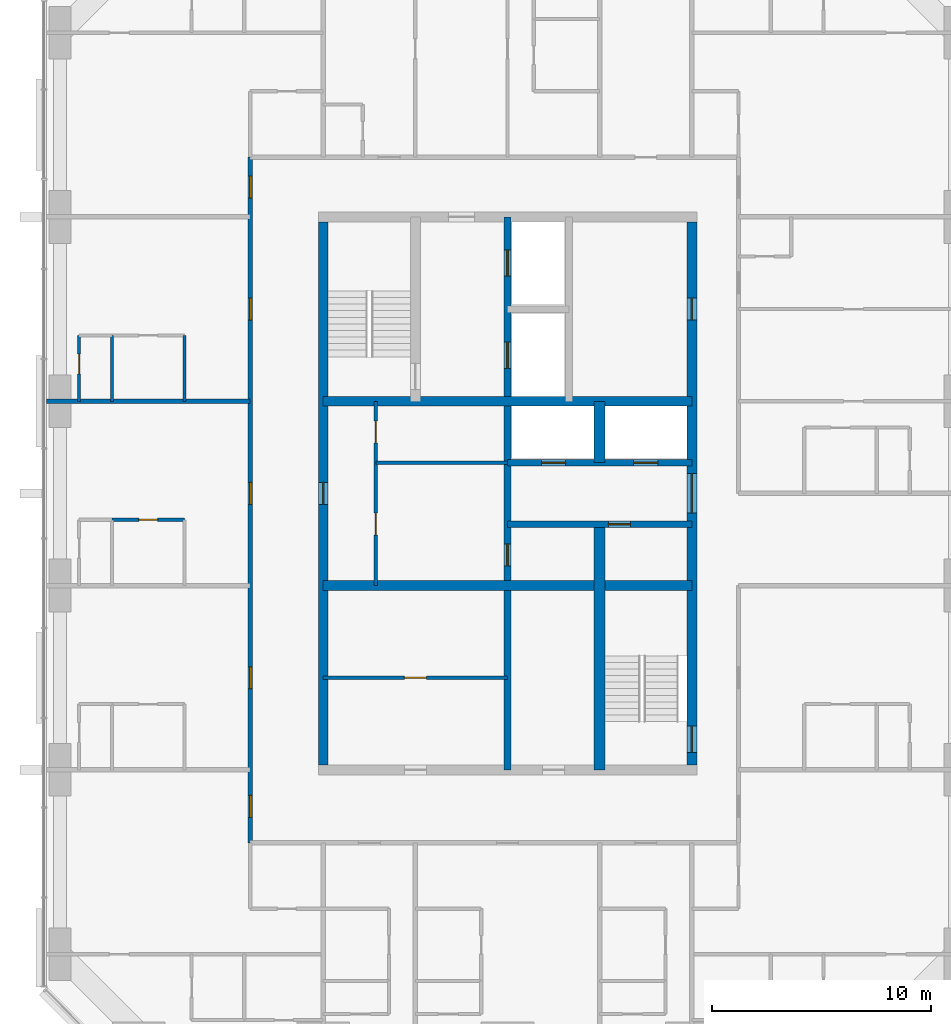
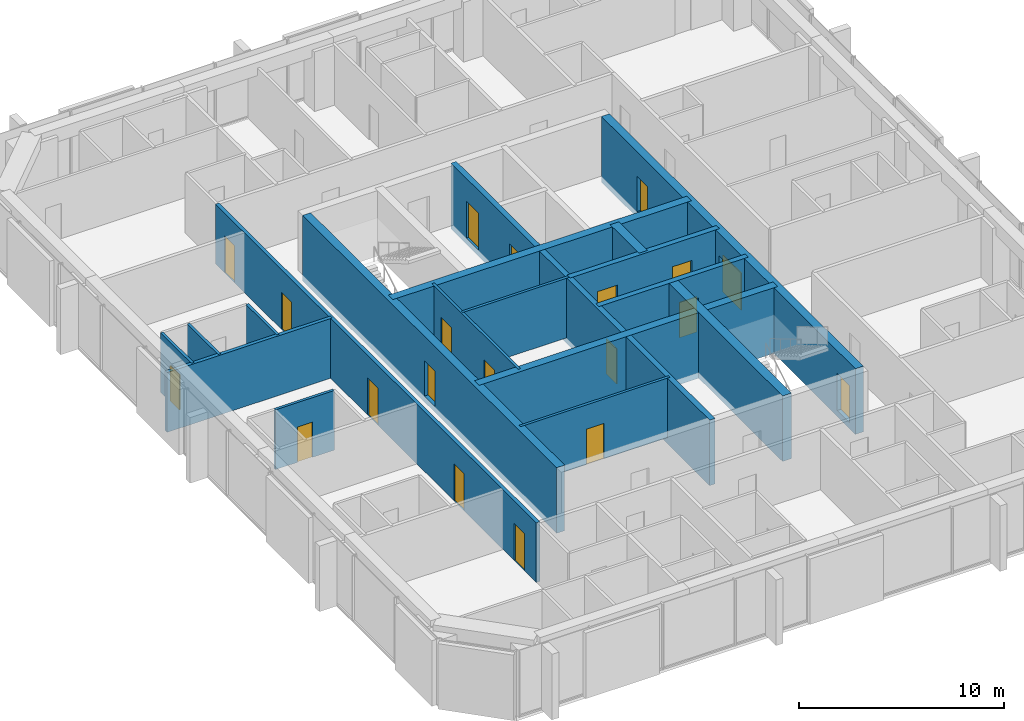
# One storey, part 8 of 12: 20 doors, 18 walls, 20 openings.
"""IFC4 building model written with IfcOpenShell, lengths in metres."""

from ifc_helpers import new_model, si_unit, direction, frame, frame_2d, origin, place, context, subcontext, project, spatial, rectangle, extrude, material, layer, layer_set, type_object, element, fill, save


model = new_model("IFC4")

# Units and contexts
model_context = context("Model", 3, precision=1e-05, world=origin(), true_north=direction((0.0, 1.0)))
body_context = subcontext(model_context, "Body", "Model", "MODEL_VIEW")
ifc_project = project(units=[si_unit("LENGTHUNIT", "METRE"), si_unit("AREAUNIT", "SQUARE_METRE"), si_unit("VOLUMEUNIT", "CUBIC_METRE"), si_unit("PLANEANGLEUNIT", "RADIAN"), si_unit("MASSUNIT", "GRAM", prefix="KILO")], contexts=[model_context])

# Site, building, storey
site_placement = place(None, origin())
site = spatial("IfcSite", under=ifc_project, at=site_placement, CompositionType="ELEMENT")
building_placement = place(site_placement, origin())
building = spatial("IfcBuilding", under=site, at=building_placement, Name="Dunama Terrace Hotel", CompositionType="ELEMENT")
storey_placement = place(building_placement, frame((0.0, 0.0, 245.10009765625)))
storey = spatial("IfcBuildingStorey", under=building, at=storey_placement, Name="L63", CompositionType="ELEMENT", Elevation=245.10009765625)

# Wall
ifc_material_1 = material(Name="Gypsum board partition", Category="masonry")
ifc_layer_1 = layer(ifc_material_1, 0.14990234375)
ifc_layer_set_1 = layer_set([ifc_layer_1], Name="Bathroom partition 150")
wall_type_1 = type_object("IfcWallType", Name="Bathroom partition 150", PredefinedType="PARTITIONING", material=ifc_layer_set_1)
wall_1_placement = place(storey_placement, frame((18.875, 33.60009765625, 0.0), z_axis=(0.0, 0.0, 1.0), x_axis=(0.0, 1.0, 0.0)))
element("IfcWall", 1, at=wall_1_placement, inside=storey, type_object=wall_type_1, Name="Bathroom partition 150 L63", PredefinedType="PARTITIONING", context=body_context, shape_type="SweptSolid", body=[
    extrude(rectangle(XDim=3.0, YDim=0.14990234375, at=frame_2d((1.5, 0.0))), origin(), (0.0, 0.0, 1.0), 3.5498046875),
])

# Wall, opening, door
wall_2_placement = place(storey_placement, frame((15.574951171875, 28.199951171875, 0.0), z_axis=(0.0, 0.0, 1.0), x_axis=(1.0, 0.0, 0.0)))
wall_2 = element("IfcWall", 2, at=wall_2_placement, inside=storey, type_object=wall_type_1, Name="Bathroom partition 150 L63", PredefinedType="PARTITIONING", context=body_context, shape_type="SweptSolid", body=[
    extrude(rectangle(XDim=3.300048828125, YDim=0.14990234375, at=frame_2d((1.64990234375, 0.0))), origin(), (0.0, 0.0, 1.0), 3.5498046875),
])
opening_1_placement = place(wall_2_placement, frame((1.22509765625, 0.0, 0.0)))
opening_1 = element("IfcOpeningElement", 3, at=opening_1_placement, cuts=wall_2, Name="Opening L62-64-036", PredefinedType="OPENING", context=body_context, shape_type="SweptSolid", body=[
    extrude(rectangle(XDim=0.85009765625, YDim=2.10009765625, at=frame_2d((0.425048828125, 1.050048828125))), frame((0.0, 0.0849609375, 0.0), z_axis=(0.0, -1.0, 0.0), x_axis=(1.0, 0.0, 0.0)), (0.0, 0.0, 1.0), 0.169921875),
])
ifc_material_2 = material(Name="Timber door with steel frame", Category="steel")
door_type_1 = type_object("IfcDoorType", Name="Bathroom door 850", OperationType="SINGLE_SWING_LEFT", PredefinedType="DOOR", material=ifc_material_2)
door_1_placement = place(opening_1_placement, frame((0.85009765625, 0.0, 0.0), z_axis=(0.0, 0.0, 1.0), x_axis=(-1.0, 0.0, 0.0)))
door_1 = element("IfcDoor", 4, at=door_1_placement, inside=storey, type_object=door_type_1, Name="Door to en-suite bathroom L62-64-036, type D2", OperationType="SINGLE_SWING_LEFT", OverallHeight=2.10009765625, OverallWidth=0.85009765625, PredefinedType="DOOR", context=body_context, shape_type="SweptSolid", body=[
    extrude(rectangle(XDim=0.85009765625, YDim=2.10009765625, at=frame_2d((0.425048828125, 1.050048828125))), frame((0.0, 0.025146484375, 0.0), z_axis=(0.0, -1.0, 0.0), x_axis=(1.0, 0.0, 0.0)), (0.0, 0.0, 1.0), 0.050048828125),
])
fill(opening_1, door_1)

# Wall, openings, doors
ifc_material_3 = material(Name="Concrete C50/60", Category="concrete")
ifc_layer_2 = layer(ifc_material_3, 0.300048828125)
ifc_layer_set_2 = layer_set([ifc_layer_2], Name="Core inner wall 300")
wall_type_2 = type_object("IfcWallType", Name="Core inner wall 300", PredefinedType="SHEAR", material=ifc_layer_set_2)
wall_3_placement = place(storey_placement, frame((33.60009765625, 16.800048828125, -0.35009765625), z_axis=(0.0, 0.0, 1.0), x_axis=(0.0, 1.0, 0.0)))
wall_3 = element("IfcWall", 5, at=wall_3_placement, inside=storey, type_object=wall_type_2, Name="Core inner wall 300 L63", PredefinedType="SHEAR", context=body_context, shape_type="SweptSolid", body=[
    extrude(rectangle(XDim=25.199951171875, YDim=0.300048828125, at=frame_2d((12.60009765625, 0.0))), origin(), (0.0, 0.0, 1.0), 3.89990234375),
])
opening_2_placement = place(wall_3_placement, frame((22.5, 0.0, 0.35009765625)))
opening_2 = element("IfcOpeningElement", 6, at=opening_2_placement, cuts=wall_3, Name="Opening L62-64-005", PredefinedType="OPENING", context=body_context, shape_type="SweptSolid", body=[
    extrude(rectangle(XDim=1.199951171875, YDim=2.199951171875, at=frame_2d((0.60009765625, 1.10009765625))), frame((0.0, 0.159912109375, 0.0), z_axis=(0.0, -1.0, 0.0), x_axis=(1.0, 0.0, 0.0)), (0.0, 0.0, 1.0), 0.320068359375),
])
opening_3_placement = place(wall_3_placement, frame((18.300048828125, 0.0, 0.35009765625)))
opening_3 = element("IfcOpeningElement", 7, at=opening_3_placement, cuts=wall_3, Name="Opening L62-64-006", PredefinedType="OPENING", context=body_context, shape_type="SweptSolid", body=[
    extrude(rectangle(XDim=1.199951171875, YDim=2.199951171875, at=frame_2d((0.60009765625, 1.10009765625))), frame((0.0, 0.159912109375, 0.0), z_axis=(0.0, -1.0, 0.0), x_axis=(1.0, 0.0, 0.0)), (0.0, 0.0, 1.0), 0.320068359375),
])
opening_4_placement = place(wall_3_placement, frame((9.300048828125, 0.0, 0.35009765625)))
opening_4 = element("IfcOpeningElement", 8, at=opening_4_placement, cuts=wall_3, Name="Opening L62-64-064", PredefinedType="OPENING", context=body_context, shape_type="SweptSolid", body=[
    extrude(rectangle(XDim=1.0, YDim=2.10009765625, at=frame_2d((0.5, 1.050048828125))), frame((0.0, 0.159912109375, 0.0), z_axis=(0.0, -1.0, 0.0), x_axis=(1.0, 0.0, 0.0)), (0.0, 0.0, 1.0), 0.320068359375),
])
ifc_material_4 = material(Name="Stainless steel lift door", Category="steel")
door_type_2 = type_object("IfcDoorType", Name="Firefighting lift landing door 1200", OperationType="DOUBLE_DOOR_SLIDING", PredefinedType="DOOR", material=ifc_material_4)
door_2_placement = place(opening_2_placement, origin())
door_2 = element("IfcDoor", 9, at=door_2_placement, inside=storey, type_object=door_type_2, Name="Landing door FL1 L62-64-005, type LD2", OperationType="DOUBLE_DOOR_SLIDING", OverallHeight=2.199951171875, OverallWidth=1.199951171875, PredefinedType="DOOR", context=body_context, shape_type="SweptSolid", body=[
    extrude(rectangle(XDim=1.199951171875, YDim=2.199951171875, at=frame_2d((0.60009765625, 1.10009765625))), frame((0.0, 0.02490234375, 0.0), z_axis=(0.0, -1.0, 0.0), x_axis=(1.0, 0.0, 0.0)), (0.0, 0.0, 1.0), 0.050048828125),
])
fill(opening_2, door_2)
door_3_placement = place(opening_3_placement, origin())
door_3 = element("IfcDoor", 10, at=door_3_placement, inside=storey, type_object=door_type_2, Name="Landing door FL2 L62-64-006, type LD2", OperationType="DOUBLE_DOOR_SLIDING", OverallHeight=2.199951171875, OverallWidth=1.199951171875, PredefinedType="DOOR", context=body_context, shape_type="SweptSolid", body=[
    extrude(rectangle(XDim=1.199951171875, YDim=2.199951171875, at=frame_2d((0.60009765625, 1.10009765625))), frame((0.0, 0.02490234375, 0.0), z_axis=(0.0, -1.0, 0.0), x_axis=(1.0, 0.0, 0.0)), (0.0, 0.0, 1.0), 0.050048828125),
])
fill(opening_3, door_3)
ifc_material_5 = material(Name="Timber door with steel frame", Category="steel")
door_type_3 = type_object("IfcDoorType", Name="Service door 1000", OperationType="SINGLE_SWING_LEFT", PredefinedType="DOOR", material=ifc_material_5)
door_4_placement = place(opening_4_placement, frame((1.0, 0.0, 0.0), z_axis=(0.0, 0.0, 1.0), x_axis=(-1.0, 0.0, 0.0)))
door_4 = element("IfcDoor", 11, at=door_4_placement, inside=storey, type_object=door_type_3, Name="Door to service riser L62-64-064, type D7", OperationType="SINGLE_SWING_RIGHT", OverallHeight=2.10009765625, OverallWidth=1.0, PredefinedType="DOOR", context=body_context, shape_type="SweptSolid", body=[
    extrude(rectangle(XDim=1.0, YDim=2.10009765625, at=frame_2d((0.5, 1.050048828125))), frame((0.0, 0.025146484375, 0.0), z_axis=(0.0, -1.0, 0.0), x_axis=(1.0, 0.0, 0.0)), (0.0, 0.0, 1.0), 0.050048828125),
])
fill(opening_4, door_4)

# Wall, opening, door
wall_4_placement = place(storey_placement, frame((33.60009765625, 28.0, -0.35009765625), z_axis=(0.0, 0.0, 1.0), x_axis=(1.0, 0.0, 0.0)))
wall_4 = element("IfcWall", 12, at=wall_4_placement, inside=storey, type_object=wall_type_2, Name="Core inner wall 300 L63", PredefinedType="SHEAR", context=body_context, shape_type="SweptSolid", body=[
    extrude(rectangle(XDim=8.39990234375, YDim=0.300048828125, at=frame_2d((4.199951171875, 0.0))), origin(), (0.0, 0.0, 1.0), 3.89990234375),
])
opening_5_placement = place(wall_4_placement, frame((4.60009765625, 0.0, 0.35009765625)))
opening_5 = element("IfcOpeningElement", 13, at=opening_5_placement, cuts=wall_4, Name="Opening L62-64-065", PredefinedType="OPENING", context=body_context, shape_type="SweptSolid", body=[
    extrude(rectangle(XDim=1.0, YDim=2.10009765625, at=frame_2d((0.5, 1.050048828125))), frame((0.0, 0.159912109375, 0.0), z_axis=(0.0, -1.0, 0.0), x_axis=(1.0, 0.0, 0.0)), (0.0, 0.0, 1.0), 0.320068359375),
])
door_5_placement = place(opening_5_placement, frame((1.0, 0.0, 0.0), z_axis=(0.0, 0.0, 1.0), x_axis=(-1.0, 0.0, 0.0)))
door_5 = element("IfcDoor", 14, at=door_5_placement, inside=storey, type_object=door_type_3, Name="Door to guest pantry L62-64-065, type D7", OperationType="SINGLE_SWING_RIGHT", OverallHeight=2.10009765625, OverallWidth=1.0, PredefinedType="DOOR", context=body_context, shape_type="SweptSolid", body=[
    extrude(rectangle(XDim=1.0, YDim=2.10009765625, at=frame_2d((0.5, 1.050048828125))), frame((0.0, 0.025146484375, 0.0), z_axis=(0.0, -1.0, 0.0), x_axis=(1.0, 0.0, 0.0)), (0.0, 0.0, 1.0), 0.050048828125),
])
fill(opening_5, door_5)

# Wall, openings, doors
wall_5_placement = place(storey_placement, frame((33.60009765625, 30.800048828125, -0.35009765625), z_axis=(0.0, 0.0, 1.0), x_axis=(1.0, 0.0, 0.0)))
wall_5 = element("IfcWall", 15, at=wall_5_placement, inside=storey, type_object=wall_type_2, Name="Core inner wall 300 L63", PredefinedType="SHEAR", context=body_context, shape_type="SweptSolid", body=[
    extrude(rectangle(XDim=8.39990234375, YDim=0.300048828125, at=frame_2d((4.199951171875, 0.0))), origin(), (0.0, 0.0, 1.0), 3.89990234375),
])
opening_6_placement = place(wall_5_placement, frame((1.550048828125, 0.0, 0.35009765625)))
opening_6 = element("IfcOpeningElement", 16, at=opening_6_placement, cuts=wall_5, Name="Opening L62-64-003", PredefinedType="OPENING", context=body_context, shape_type="SweptSolid", body=[
    extrude(rectangle(XDim=1.10009765625, YDim=2.199951171875, at=frame_2d((0.550048828125, 1.10009765625))), frame((0.0, 0.159912109375, 0.0), z_axis=(0.0, -1.0, 0.0), x_axis=(1.0, 0.0, 0.0)), (0.0, 0.0, 1.0), 0.320068359375),
])
opening_7_placement = place(wall_5_placement, frame((5.75, 0.0, 0.35009765625)))
opening_7 = element("IfcOpeningElement", 17, at=opening_7_placement, cuts=wall_5, Name="Opening L62-64-004", PredefinedType="OPENING", context=body_context, shape_type="SweptSolid", body=[
    extrude(rectangle(XDim=1.10009765625, YDim=2.199951171875, at=frame_2d((0.550048828125, 1.10009765625))), frame((0.0, 0.159912109375, 0.0), z_axis=(0.0, -1.0, 0.0), x_axis=(1.0, 0.0, 0.0)), (0.0, 0.0, 1.0), 0.320068359375),
])
ifc_material_6 = material(Name="Stainless steel lift door", Category="steel")
door_type_4 = type_object("IfcDoorType", Name="Lift landing door 1100", OperationType="DOUBLE_DOOR_SLIDING", PredefinedType="DOOR", material=ifc_material_6)
door_6_placement = place(opening_6_placement, origin())
door_6 = element("IfcDoor", 18, at=door_6_placement, inside=storey, type_object=door_type_4, Name="Landing door PD1 L62-64-003, type LD1", OperationType="DOUBLE_DOOR_SLIDING", OverallHeight=2.199951171875, OverallWidth=1.10009765625, PredefinedType="DOOR", context=body_context, shape_type="SweptSolid", body=[
    extrude(rectangle(XDim=1.10009765625, YDim=2.199951171875, at=frame_2d((0.550048828125, 1.10009765625))), frame((0.0, 0.02490234375, 0.0), z_axis=(0.0, -1.0, 0.0), x_axis=(1.0, 0.0, 0.0)), (0.0, 0.0, 1.0), 0.050048828125),
])
fill(opening_6, door_6)
door_7_placement = place(opening_7_placement, origin())
door_7 = element("IfcDoor", 19, at=door_7_placement, inside=storey, type_object=door_type_4, Name="Landing door PD2 L62-64-004, type LD1", OperationType="DOUBLE_DOOR_SLIDING", OverallHeight=2.199951171875, OverallWidth=1.10009765625, PredefinedType="DOOR", context=body_context, shape_type="SweptSolid", body=[
    extrude(rectangle(XDim=1.10009765625, YDim=2.199951171875, at=frame_2d((0.550048828125, 1.10009765625))), frame((0.0, 0.02490234375, 0.0), z_axis=(0.0, -1.0, 0.0), x_axis=(1.0, 0.0, 0.0)), (0.0, 0.0, 1.0), 0.050048828125),
])
fill(opening_7, door_7)

# Walls
ifc_material_7 = material(Name="Concrete C50/60", Category="concrete")
ifc_layer_3 = layer(ifc_material_7, 0.449951171875)
ifc_layer_set_3 = layer_set([ifc_layer_3], Name="Core inner wall 450")
wall_type_3 = type_object("IfcWallType", Name="Core inner wall 450", PredefinedType="SHEAR", material=ifc_layer_set_3)
for number, where, z_axis, x_axis, name in (
    (20, (25.199951171875, 25.199951171875, -0.35009765625), (0.0, 0.0, 1.0), (1.0, 0.0, 0.0), "Core inner wall 450 L63"),
    (21, (25.199951171875, 33.60009765625, -0.35009765625), (0.0, 0.0, 1.0), (1.0, 0.0, 0.0), "Core inner wall 450 L63"),
):
    element("IfcWall", number, at=place(storey_placement, frame(where, z_axis=z_axis, x_axis=x_axis)), inside=storey, type_object=wall_type_3, Name=name, PredefinedType="SHEAR", context=body_context, shape_type="SweptSolid", body=[
        extrude(rectangle(XDim=16.800048828125, YDim=0.449951171875, at=frame_2d((8.39990234375, 0.0))), origin(), (0.0, 0.0, 1.0), 3.89990234375),
    ])
ifc_material_8 = material(Name="Concrete C50/60", Category="concrete")
ifc_layer_4 = layer(ifc_material_8, 0.5)
ifc_layer_set_4 = layer_set([ifc_layer_4], Name="Core inner wall 500")
wall_type_4 = type_object("IfcWallType", Name="Core inner wall 500", PredefinedType="SHEAR", material=ifc_layer_set_4)
wall_6_placement = place(storey_placement, frame((37.800048828125, 16.800048828125, -0.35009765625), z_axis=(0.0, 0.0, 1.0), x_axis=(0.0, 1.0, 0.0)))
element("IfcWall", 22, at=wall_6_placement, inside=storey, type_object=wall_type_4, Name="Core inner wall 500 L63", PredefinedType="SHEAR", context=body_context, shape_type="SweptSolid", body=[
    extrude(rectangle(XDim=11.199951171875, YDim=0.5, at=frame_2d((5.60009765625, 0.0))), origin(), (0.0, 0.0, 1.0), 3.89990234375),
])
wall_7_placement = place(storey_placement, frame((37.800048828125, 30.800048828125, -0.35009765625), z_axis=(0.0, 0.0, 1.0), x_axis=(0.0, 1.0, 0.0)))
element("IfcWall", 23, at=wall_7_placement, inside=storey, type_object=wall_type_4, Name="Core inner wall 500 L63", PredefinedType="SHEAR", context=body_context, shape_type="SweptSolid", body=[
    extrude(rectangle(XDim=2.800048828125, YDim=0.5, at=frame_2d((1.39990234375, 0.0))), origin(), (0.0, 0.0, 1.0), 3.89990234375),
])

# Wall, openings, doors
ifc_material_9 = material(Name="Concrete C50/60", Category="concrete")
ifc_layer_5 = layer(ifc_material_9, 0.449951171875)
ifc_layer_set_5 = layer_set([ifc_layer_5], Name="Core wall 450")
wall_type_5 = type_object("IfcWallType", Name="Core wall 450", PredefinedType="SHEAR", material=ifc_layer_set_5)
wall_8_placement = place(storey_placement, frame((42.0, 17.02490234375, -0.35009765625), z_axis=(0.0, 0.0, 1.0), x_axis=(0.0, 1.0, 0.0)))
wall_8 = element("IfcWall", 24, at=wall_8_placement, inside=storey, type_object=wall_type_5, Name="Core wall east L63", PredefinedType="SHEAR", context=body_context, shape_type="SweptSolid", body=[
    extrude(rectangle(XDim=24.75, YDim=0.449951171875, at=frame_2d((12.375, 0.0))), origin(), (0.0, 0.0, 1.0), 3.89990234375),
])
opening_8_placement = place(wall_8_placement, frame((0.574951171875, 0.0, 0.35009765625)))
opening_8 = element("IfcOpeningElement", 25, at=opening_8_placement, cuts=wall_8, Name="Opening L62-64-002", PredefinedType="OPENING", context=body_context, shape_type="SweptSolid", body=[
    extrude(rectangle(XDim=1.199951171875, YDim=2.199951171875, at=frame_2d((0.60009765625, 1.10009765625))), frame((0.0, 0.23486328125, 0.0), z_axis=(0.0, -1.0, 0.0), x_axis=(1.0, 0.0, 0.0)), (0.0, 0.0, 1.0), 0.469970703125),
])
opening_9_placement = place(wall_8_placement, frame((11.47509765625, 0.0, 0.35009765625)))
opening_9 = element("IfcOpeningElement", 26, at=opening_9_placement, cuts=wall_8, Name="Opening L62-64-066", PredefinedType="OPENING", context=body_context, shape_type="SweptSolid", body=[
    extrude(rectangle(XDim=1.800048828125, YDim=2.199951171875, at=frame_2d((0.89990234375, 1.10009765625))), frame((0.0, 0.23486328125, 0.0), z_axis=(0.0, -1.0, 0.0), x_axis=(1.0, 0.0, 0.0)), (0.0, 0.0, 1.0), 0.469970703125),
])
opening_10_placement = place(wall_8_placement, frame((20.27490234375, 0.0, 0.35009765625)))
opening_10 = element("IfcOpeningElement", 27, at=opening_10_placement, cuts=wall_8, Name="Opening L62-64-068", PredefinedType="OPENING", context=body_context, shape_type="SweptSolid", body=[
    extrude(rectangle(XDim=1.0, YDim=2.10009765625, at=frame_2d((0.5, 1.050048828125))), frame((0.0, 0.23486328125, 0.0), z_axis=(0.0, -1.0, 0.0), x_axis=(1.0, 0.0, 0.0)), (0.0, 0.0, 1.0), 0.469970703125),
])
ifc_material_10 = material(Name="Timber door with steel frame", Category="steel")
door_type_5 = type_object("IfcDoorType", Name="Lift lobby double door 1800", OperationType="DOUBLE_DOOR_DOUBLE_SWING", PredefinedType="DOOR", material=ifc_material_10)
door_8_placement = place(opening_9_placement, origin())
door_8 = element("IfcDoor", 28, at=door_8_placement, inside=storey, type_object=door_type_5, Name="Door to lift lobby L62-64-066, type D3", OperationType="DOUBLE_DOOR_DOUBLE_SWING", OverallHeight=2.199951171875, OverallWidth=1.800048828125, PredefinedType="DOOR", context=body_context, shape_type="SweptSolid", body=[
    extrude(rectangle(XDim=1.800048828125, YDim=2.199951171875, at=frame_2d((0.89990234375, 1.10009765625))), frame((0.0, 0.02490234375, 0.0), z_axis=(0.0, -1.0, 0.0), x_axis=(1.0, 0.0, 0.0)), (0.0, 0.0, 1.0), 0.050048828125),
])
fill(opening_9, door_8)
door_9_placement = place(opening_10_placement, origin())
door_9 = element("IfcDoor", 29, at=door_9_placement, inside=storey, type_object=door_type_3, Name="Door to ice and vending room L62-64-068, type D7", OperationType="SINGLE_SWING_LEFT", OverallHeight=2.10009765625, OverallWidth=1.0, PredefinedType="DOOR", context=body_context, shape_type="SweptSolid", body=[
    extrude(rectangle(XDim=1.0, YDim=2.10009765625, at=frame_2d((0.5, 1.050048828125))), frame((0.0, 0.02490234375, 0.0), z_axis=(0.0, -1.0, 0.0), x_axis=(1.0, 0.0, 0.0)), (0.0, 0.0, 1.0), 0.050048828125),
])
fill(opening_10, door_9)
ifc_material_11 = material(Name="Timber door with steel frame", Category="steel")
door_type_6 = type_object("IfcDoorType", Name="Stair door 1200", OperationType="SINGLE_SWING_LEFT", PredefinedType="DOOR", material=ifc_material_11)
door_10_placement = place(opening_8_placement, origin())
door_10 = element("IfcDoor", 30, at=door_10_placement, inside=storey, type_object=door_type_6, Name="Stair door ST2 L62-64-002, type D5", OperationType="SINGLE_SWING_LEFT", OverallHeight=2.199951171875, OverallWidth=1.199951171875, PredefinedType="DOOR", context=body_context, shape_type="SweptSolid", body=[
    extrude(rectangle(XDim=1.199951171875, YDim=2.199951171875, at=frame_2d((0.60009765625, 1.10009765625))), frame((0.0, 0.02490234375, 0.0), z_axis=(0.0, -1.0, 0.0), x_axis=(1.0, 0.0, 0.0)), (0.0, 0.0, 1.0), 0.050048828125),
])
fill(opening_8, door_10)

# Wall, opening, door
wall_9_placement = place(storey_placement, frame((25.199951171875, 41.77490234375, -0.35009765625), z_axis=(0.0, 0.0, 1.0), x_axis=(0.0, -1.0, 0.0)))
wall_9 = element("IfcWall", 31, at=wall_9_placement, inside=storey, type_object=wall_type_5, Name="Core wall west L63", PredefinedType="SHEAR", context=body_context, shape_type="SweptSolid", body=[
    extrude(rectangle(XDim=24.75, YDim=0.449951171875, at=frame_2d((12.375, 0.0))), origin(), (0.0, 0.0, 1.0), 3.89990234375),
])
opening_11_placement = place(wall_9_placement, frame((11.875, 0.0, 0.35009765625)))
opening_11 = element("IfcOpeningElement", 32, at=opening_11_placement, cuts=wall_9, Name="Opening L62-64-061", PredefinedType="OPENING", context=body_context, shape_type="SweptSolid", body=[
    extrude(rectangle(XDim=1.0, YDim=2.10009765625, at=frame_2d((0.5, 1.050048828125))), frame((0.0, 0.23486328125, 0.0), z_axis=(0.0, -1.0, 0.0), x_axis=(1.0, 0.0, 0.0)), (0.0, 0.0, 1.0), 0.469970703125),
])
door_11_placement = place(opening_11_placement, origin())
door_11 = element("IfcDoor", 33, at=door_11_placement, inside=storey, type_object=door_type_3, Name="Door to staff passage L62-64-061, type D7", OperationType="SINGLE_SWING_LEFT", OverallHeight=2.10009765625, OverallWidth=1.0, PredefinedType="DOOR", context=body_context, shape_type="SweptSolid", body=[
    extrude(rectangle(XDim=1.0, YDim=2.10009765625, at=frame_2d((0.5, 1.050048828125))), frame((0.0, 0.02490234375, 0.0), z_axis=(0.0, -1.0, 0.0), x_axis=(1.0, 0.0, 0.0)), (0.0, 0.0, 1.0), 0.050048828125),
])
fill(opening_11, door_11)

# Wall, openings, doors
ifc_material_12 = material(Name="Concrete blockwork", Category="masonry")
ifc_layer_6 = layer(ifc_material_12, 0.199951171875)
ifc_layer_set_6 = layer_set([ifc_layer_6], Name="Corridor partition 200")
wall_type_6 = type_object("IfcWallType", Name="Corridor partition 200", PredefinedType="PARTITIONING", material=ifc_layer_set_6)
wall_10_placement = place(storey_placement, frame((21.875, 13.47509765625, 0.0), z_axis=(0.0, 0.0, 1.0), x_axis=(0.0, 1.0, 0.0)))
wall_10 = element("IfcWall", 34, at=wall_10_placement, inside=storey, type_object=wall_type_6, Name="Corridor partition 200 L63", PredefinedType="PARTITIONING", context=body_context, shape_type="SweptSolid", body=[
    extrude(rectangle(XDim=31.25, YDim=0.199951171875, at=frame_2d((15.625, 0.0))), origin(), (0.0, 0.0, 1.0), 3.5498046875),
])
opening_12_placement = place(wall_10_placement, frame((7.02490234375, 0.0, 0.0)))
opening_12 = element("IfcOpeningElement", 35, at=opening_12_placement, cuts=wall_10, Name="Opening L62-64-032", PredefinedType="OPENING", context=body_context, shape_type="SweptSolid", body=[
    extrude(rectangle(XDim=1.0, YDim=2.199951171875, at=frame_2d((0.5, 1.10009765625))), frame((0.0, 0.10986328125, 0.0), z_axis=(0.0, -1.0, 0.0), x_axis=(1.0, 0.0, 0.0)), (0.0, 0.0, 1.0), 0.219970703125),
])
opening_13_placement = place(wall_10_placement, frame((15.425048828125, 0.0, 0.0)))
opening_13 = element("IfcOpeningElement", 36, at=opening_13_placement, cuts=wall_10, Name="Opening L62-64-035", PredefinedType="OPENING", context=body_context, shape_type="SweptSolid", body=[
    extrude(rectangle(XDim=1.0, YDim=2.199951171875, at=frame_2d((0.5, 1.10009765625))), frame((0.0, 0.10986328125, 0.0), z_axis=(0.0, -1.0, 0.0), x_axis=(1.0, 0.0, 0.0)), (0.0, 0.0, 1.0), 0.219970703125),
])
opening_14_placement = place(wall_10_placement, frame((23.824951171875, 0.0, 0.0)))
opening_14 = element("IfcOpeningElement", 37, at=opening_14_placement, cuts=wall_10, Name="Opening L62-64-038", PredefinedType="OPENING", context=body_context, shape_type="SweptSolid", body=[
    extrude(rectangle(XDim=1.0, YDim=2.199951171875, at=frame_2d((0.5, 1.10009765625))), frame((0.0, 0.10986328125, 0.0), z_axis=(0.0, -1.0, 0.0), x_axis=(1.0, 0.0, 0.0)), (0.0, 0.0, 1.0), 0.219970703125),
])
opening_15_placement = place(wall_10_placement, frame((1.162109375, 0.0, 0.0)))
opening_15 = element("IfcOpeningElement", 38, at=opening_15_placement, cuts=wall_10, Name="Opening L62-64-041", PredefinedType="OPENING", context=body_context, shape_type="SweptSolid", body=[
    extrude(rectangle(XDim=1.0, YDim=2.199951171875, at=frame_2d((0.5, 1.10009765625))), frame((0.0, 0.10986328125, 0.0), z_axis=(0.0, -1.0, 0.0), x_axis=(1.0, 0.0, 0.0)), (0.0, 0.0, 1.0), 0.219970703125),
])
opening_16_placement = place(wall_10_placement, frame((29.386962890625, 0.0, 0.0)))
opening_16 = element("IfcOpeningElement", 39, at=opening_16_placement, cuts=wall_10, Name="Opening L62-64-056", PredefinedType="OPENING", context=body_context, shape_type="SweptSolid", body=[
    extrude(rectangle(XDim=1.0, YDim=2.199951171875, at=frame_2d((0.5, 1.10009765625))), frame((0.0, 0.10986328125, 0.0), z_axis=(0.0, -1.0, 0.0), x_axis=(1.0, 0.0, 0.0)), (0.0, 0.0, 1.0), 0.219970703125),
])
ifc_material_13 = material(Name="Timber door with steel frame", Category="steel")
door_type_7 = type_object("IfcDoorType", Name="Guest room door 1000", OperationType="SINGLE_SWING_LEFT", PredefinedType="DOOR", material=ifc_material_13)
door_12_placement = place(opening_12_placement, origin())
door_12 = element("IfcDoor", 40, at=door_12_placement, inside=storey, type_object=door_type_7, Name="Door to junior suite L62-64-032, type D1", OperationType="SINGLE_SWING_LEFT", OverallHeight=2.199951171875, OverallWidth=1.0, PredefinedType="DOOR", context=body_context, shape_type="SweptSolid", body=[
    extrude(rectangle(XDim=1.0, YDim=2.199951171875, at=frame_2d((0.5, 1.10009765625))), frame((0.0, 0.02490234375, 0.0), z_axis=(0.0, -1.0, 0.0), x_axis=(1.0, 0.0, 0.0)), (0.0, 0.0, 1.0), 0.050048828125),
])
fill(opening_12, door_12)
door_13_placement = place(opening_13_placement, origin())
door_13 = element("IfcDoor", 41, at=door_13_placement, inside=storey, type_object=door_type_7, Name="Door to junior suite L62-64-035, type D1", OperationType="SINGLE_SWING_LEFT", OverallHeight=2.199951171875, OverallWidth=1.0, PredefinedType="DOOR", context=body_context, shape_type="SweptSolid", body=[
    extrude(rectangle(XDim=1.0, YDim=2.199951171875, at=frame_2d((0.5, 1.10009765625))), frame((0.0, 0.02490234375, 0.0), z_axis=(0.0, -1.0, 0.0), x_axis=(1.0, 0.0, 0.0)), (0.0, 0.0, 1.0), 0.050048828125),
])
fill(opening_13, door_13)
door_14_placement = place(opening_14_placement, origin())
door_14 = element("IfcDoor", 42, at=door_14_placement, inside=storey, type_object=door_type_7, Name="Door to junior suite L62-64-038, type D1", OperationType="SINGLE_SWING_LEFT", OverallHeight=2.199951171875, OverallWidth=1.0, PredefinedType="DOOR", context=body_context, shape_type="SweptSolid", body=[
    extrude(rectangle(XDim=1.0, YDim=2.199951171875, at=frame_2d((0.5, 1.10009765625))), frame((0.0, 0.02490234375, 0.0), z_axis=(0.0, -1.0, 0.0), x_axis=(1.0, 0.0, 0.0)), (0.0, 0.0, 1.0), 0.050048828125),
])
fill(opening_14, door_14)
door_15_placement = place(opening_15_placement, origin())
door_15 = element("IfcDoor", 43, at=door_15_placement, inside=storey, type_object=door_type_7, Name="Door to grand corner suite living room L62-64-041, type D1", OperationType="SINGLE_SWING_LEFT", OverallHeight=2.199951171875, OverallWidth=1.0, PredefinedType="DOOR", context=body_context, shape_type="SweptSolid", body=[
    extrude(rectangle(XDim=1.0, YDim=2.199951171875, at=frame_2d((0.5, 1.10009765625))), frame((0.0, 0.02490234375, 0.0), z_axis=(0.0, -1.0, 0.0), x_axis=(1.0, 0.0, 0.0)), (0.0, 0.0, 1.0), 0.050048828125),
])
fill(opening_15, door_15)
door_16_placement = place(opening_16_placement, origin())
door_16 = element("IfcDoor", 44, at=door_16_placement, inside=storey, type_object=door_type_7, Name="Door to grand corner suite living room L62-64-056, type D1", OperationType="SINGLE_SWING_LEFT", OverallHeight=2.199951171875, OverallWidth=1.0, PredefinedType="DOOR", context=body_context, shape_type="SweptSolid", body=[
    extrude(rectangle(XDim=1.0, YDim=2.199951171875, at=frame_2d((0.5, 1.10009765625))), frame((0.0, 0.02490234375, 0.0), z_axis=(0.0, -1.0, 0.0), x_axis=(1.0, 0.0, 0.0)), (0.0, 0.0, 1.0), 0.050048828125),
])
fill(opening_16, door_16)

# Wall
ifc_material_14 = material(Name="Concrete blockwork", Category="masonry")
ifc_layer_7 = layer(ifc_material_14, 0.199951171875)
ifc_layer_set_7 = layer_set([ifc_layer_7], Name="Party wall 200")
wall_type_7 = type_object("IfcWallType", Name="Party wall 200", PredefinedType="PARTITIONING", material=ifc_layer_set_7)
wall_11_placement = place(storey_placement, frame((12.58203125, 33.60009765625, 0.0), z_axis=(0.0, 0.0, 1.0), x_axis=(1.0, 0.0, 0.0)))
element("IfcWall", 45, at=wall_11_placement, inside=storey, type_object=wall_type_7, Name="Party wall 200 L63", PredefinedType="PARTITIONING", context=body_context, shape_type="SweptSolid", body=[
    extrude(rectangle(XDim=9.29296875, YDim=0.199951171875, at=frame_2d((4.646484375, 0.0))), origin(), (0.0, 0.0, 1.0), 3.5498046875),
])

# Wall, opening, door
ifc_material_15 = material(Name="Gypsum board partition", Category="masonry")
ifc_layer_8 = layer(ifc_material_15, 0.14990234375)
ifc_layer_set_8 = layer_set([ifc_layer_8], Name="Room partition 150")
wall_type_8 = type_object("IfcWallType", Name="Room partition 150", PredefinedType="PARTITIONING", material=ifc_layer_set_8)
wall_12_placement = place(storey_placement, frame((14.074951171875, 33.60009765625, 0.0), z_axis=(0.0, 0.0, 1.0), x_axis=(0.0, 1.0, 0.0)))
wall_12 = element("IfcWall", 46, at=wall_12_placement, inside=storey, type_object=wall_type_8, Name="Room partition 150 L63", PredefinedType="PARTITIONING", context=body_context, shape_type="SweptSolid", body=[
    extrude(rectangle(XDim=3.0, YDim=0.14990234375, at=frame_2d((1.5, 0.0))), origin(), (0.0, 0.0, 1.0), 3.5498046875),
])
opening_17_placement = place(wall_12_placement, frame((1.25, 0.0, 0.0)))
opening_17 = element("IfcOpeningElement", 47, at=opening_17_placement, cuts=wall_12, Name="Opening L62-64-040", PredefinedType="OPENING", context=body_context, shape_type="SweptSolid", body=[
    extrude(rectangle(XDim=0.89990234375, YDim=2.10009765625, at=frame_2d((0.449951171875, 1.050048828125))), frame((0.0, 0.0849609375, 0.0), z_axis=(0.0, -1.0, 0.0), x_axis=(1.0, 0.0, 0.0)), (0.0, 0.0, 1.0), 0.169921875),
])
ifc_material_16 = material(Name="Timber door with steel frame", Category="steel")
door_type_8 = type_object("IfcDoorType", Name="Suite internal door 900", OperationType="SINGLE_SWING_LEFT", PredefinedType="DOOR", material=ifc_material_16)
door_17_placement = place(opening_17_placement, frame((0.89990234375, 0.0, 0.0), z_axis=(0.0, 0.0, 1.0), x_axis=(-1.0, 0.0, 0.0)))
door_17 = element("IfcDoor", 48, at=door_17_placement, inside=storey, type_object=door_type_8, Name="Door to walk-in wardrobe L62-64-040, type D16", OperationType="SINGLE_SWING_RIGHT", OverallHeight=2.10009765625, OverallWidth=0.89990234375, PredefinedType="DOOR", context=body_context, shape_type="SweptSolid", body=[
    extrude(rectangle(XDim=0.89990234375, YDim=2.10009765625, at=frame_2d((0.449951171875, 1.050048828125))), frame((0.0, 0.025146484375, 0.0), z_axis=(0.0, -1.0, 0.0), x_axis=(1.0, 0.0, 0.0)), (0.0, 0.0, 1.0), 0.050048828125),
])
fill(opening_17, door_17)

# Wall
wall_13_placement = place(storey_placement, frame((15.574951171875, 33.60009765625, 0.0), z_axis=(0.0, 0.0, 1.0), x_axis=(0.0, 1.0, 0.0)))
element("IfcWall", 49, at=wall_13_placement, inside=storey, type_object=wall_type_8, Name="Room partition 150 L63", PredefinedType="PARTITIONING", context=body_context, shape_type="SweptSolid", body=[
    extrude(rectangle(XDim=3.0, YDim=0.14990234375, at=frame_2d((1.5, 0.0))), origin(), (0.0, 0.0, 1.0), 3.5498046875),
])

# Wall, openings, doors
wall_14_placement = place(storey_placement, frame((27.60009765625, 25.199951171875, 0.0), z_axis=(0.0, 0.0, 1.0), x_axis=(0.0, 1.0, 0.0)))
wall_14 = element("IfcWall", 50, at=wall_14_placement, inside=storey, type_object=wall_type_8, Name="Room partition 150 L63", PredefinedType="PARTITIONING", context=body_context, shape_type="SweptSolid", body=[
    extrude(rectangle(XDim=8.400146484375, YDim=0.14990234375, at=frame_2d((4.2001953125, 0.0))), origin(), (0.0, 0.0, 1.0), 3.5498046875),
])
opening_18_placement = place(wall_14_placement, frame((2.300048828125, 0.0, 0.0)))
opening_18 = element("IfcOpeningElement", 51, at=opening_18_placement, cuts=wall_14, Name="Opening L62-64-062", PredefinedType="OPENING", context=body_context, shape_type="SweptSolid", body=[
    extrude(rectangle(XDim=1.0, YDim=2.10009765625, at=frame_2d((0.5, 1.050048828125))), frame((0.0, 0.0849609375, 0.0), z_axis=(0.0, -1.0, 0.0), x_axis=(1.0, 0.0, 0.0)), (0.0, 0.0, 1.0), 0.169921875),
])
opening_19_placement = place(wall_14_placement, frame((6.5, 0.0, 0.0)))
opening_19 = element("IfcOpeningElement", 52, at=opening_19_placement, cuts=wall_14, Name="Opening L62-64-063", PredefinedType="OPENING", context=body_context, shape_type="SweptSolid", body=[
    extrude(rectangle(XDim=1.0, YDim=2.10009765625, at=frame_2d((0.5, 1.050048828125))), frame((0.0, 0.0849609375, 0.0), z_axis=(0.0, -1.0, 0.0), x_axis=(1.0, 0.0, 0.0)), (0.0, 0.0, 1.0), 0.169921875),
])
door_18_placement = place(opening_18_placement, frame((1.0, 0.0, 0.0), z_axis=(0.0, 0.0, 1.0), x_axis=(-1.0, 0.0, 0.0)))
door_18 = element("IfcDoor", 53, at=door_18_placement, inside=storey, type_object=door_type_3, Name="Door to riser room L62-64-062, type D7", OperationType="SINGLE_SWING_RIGHT", OverallHeight=2.10009765625, OverallWidth=1.0, PredefinedType="DOOR", context=body_context, shape_type="SweptSolid", body=[
    extrude(rectangle(XDim=1.0, YDim=2.10009765625, at=frame_2d((0.5, 1.050048828125))), frame((0.0, 0.025146484375, 0.0), z_axis=(0.0, -1.0, 0.0), x_axis=(1.0, 0.0, 0.0)), (0.0, 0.0, 1.0), 0.050048828125),
])
fill(opening_18, door_18)
door_19_placement = place(opening_19_placement, frame((1.0, 0.0, 0.0), z_axis=(0.0, 0.0, 1.0), x_axis=(-1.0, 0.0, 0.0)))
door_19 = element("IfcDoor", 54, at=door_19_placement, inside=storey, type_object=door_type_3, Name="Door to staff locker room L62-64-063, type D7", OperationType="SINGLE_SWING_LEFT", OverallHeight=2.10009765625, OverallWidth=1.0, PredefinedType="DOOR", context=body_context, shape_type="SweptSolid", body=[
    extrude(rectangle(XDim=1.0, YDim=2.10009765625, at=frame_2d((0.5, 1.050048828125))), frame((0.0, 0.025146484375, 0.0), z_axis=(0.0, -1.0, 0.0), x_axis=(1.0, 0.0, 0.0)), (0.0, 0.0, 1.0), 0.050048828125),
])
fill(opening_19, door_19)

# Wall, opening, door
wall_15_placement = place(storey_placement, frame((25.199951171875, 21.0, 0.0), z_axis=(0.0, 0.0, 1.0), x_axis=(1.0, 0.0, 0.0)))
wall_15 = element("IfcWall", 55, at=wall_15_placement, inside=storey, type_object=wall_type_8, Name="Room partition 150 L63", PredefinedType="PARTITIONING", context=body_context, shape_type="SweptSolid", body=[
    extrude(rectangle(XDim=8.400146484375, YDim=0.14990234375, at=frame_2d((4.2001953125, 0.0))), origin(), (0.0, 0.0, 1.0), 3.5498046875),
])
opening_20_placement = place(wall_15_placement, frame((3.699951171875, 0.0, 0.0)))
opening_20 = element("IfcOpeningElement", 56, at=opening_20_placement, cuts=wall_15, Name="Opening L62-64-070", PredefinedType="OPENING", context=body_context, shape_type="SweptSolid", body=[
    extrude(rectangle(XDim=1.0, YDim=2.10009765625, at=frame_2d((0.5, 1.050048828125))), frame((0.0, 0.0849609375, 0.0), z_axis=(0.0, -1.0, 0.0), x_axis=(1.0, 0.0, 0.0)), (0.0, 0.0, 1.0), 0.169921875),
])
door_20_placement = place(opening_20_placement, origin())
door_20 = element("IfcDoor", 57, at=door_20_placement, inside=storey, type_object=door_type_3, Name="Door to stair pressurisation fan room L62-64-070, type D7", OperationType="SINGLE_SWING_LEFT", OverallHeight=2.10009765625, OverallWidth=1.0, PredefinedType="DOOR", context=body_context, shape_type="SweptSolid", body=[
    extrude(rectangle(XDim=1.0, YDim=2.10009765625, at=frame_2d((0.5, 1.050048828125))), frame((0.0, 0.02490234375, 0.0), z_axis=(0.0, -1.0, 0.0), x_axis=(1.0, 0.0, 0.0)), (0.0, 0.0, 1.0), 0.050048828125),
])
fill(opening_20, door_20)

# Wall
wall_16_placement = place(storey_placement, frame((27.60009765625, 30.800048828125, 0.0), z_axis=(0.0, 0.0, 1.0), x_axis=(1.0, 0.0, 0.0)))
element("IfcWall", 58, at=wall_16_placement, inside=storey, type_object=wall_type_8, Name="Room partition 150 L63", PredefinedType="PARTITIONING", context=body_context, shape_type="SweptSolid", body=[
    extrude(rectangle(XDim=6.0, YDim=0.14990234375, at=frame_2d((3.0, 0.0))), origin(), (0.0, 0.0, 1.0), 3.5498046875),
])

save(model, "model.ifc")
